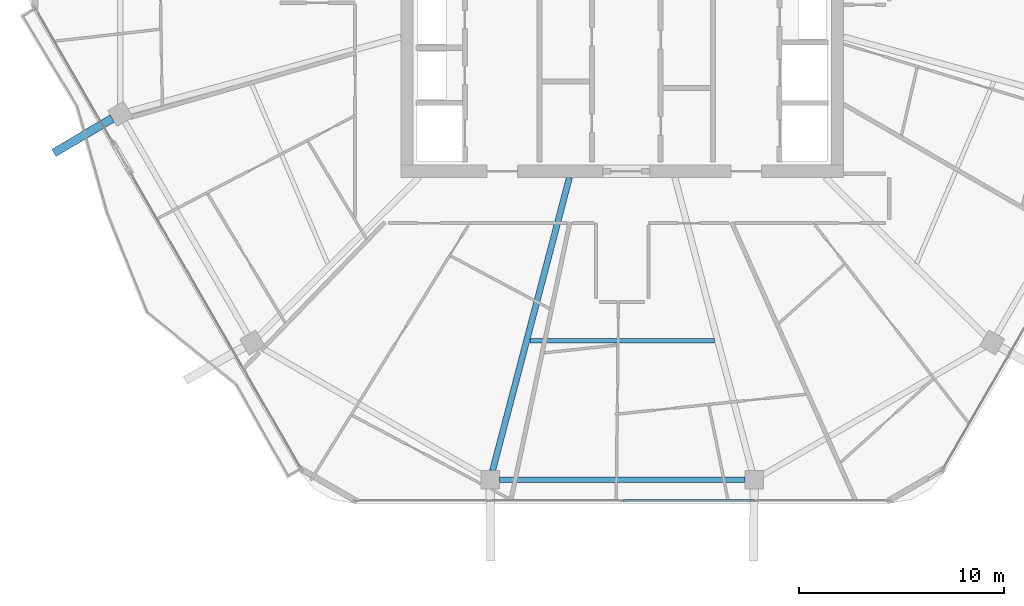
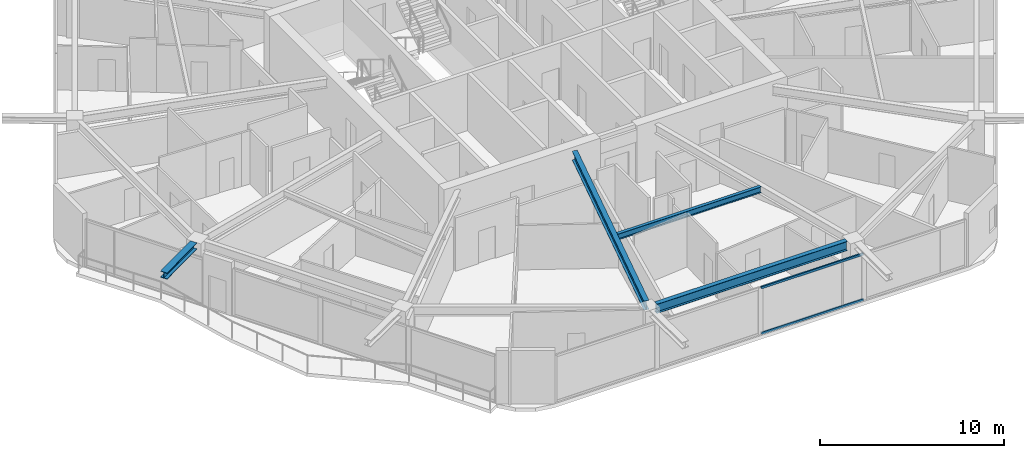
# One storey, part 4 of 26: 4 beams, 2 members, 1 element without a shape of its own.
"""IFC4 building model written with IfcOpenShell, lengths in metres."""

import ifcopenshell
import ifcopenshell.guid

model = None  # the IFC model being written
_history = None  # IfcOwnerHistory: only IFC2X3 demands one
_inside = {}  # id of a spatial element -> (the spatial element, [elements in it])
_under = {}  # id of a project, library or spatial element -> (it, [spatial elements below it])
_declared = {}  # id of a project -> (the project, [libraries it declares])
_typed = {}  # id of a type object -> (the type object, [elements of that type])
_made_of = {}  # id of a material, layer set ... -> (it, [elements and type objects made of it])


def new_model(schema):
    """Start an empty IFC model of exactly this schema.

    Asked for "IFC4X3", IfcOpenShell would pick the latest addendum, in which some entities
    have other attributes; the version numbers below select the first issue.
    IFC2X3 requires an IfcOwnerHistory on every rooted entity: one is made here for all.
    """
    global model, _history
    if schema == "IFC4X3":
        model = ifcopenshell.file(schema_version=(4, 3, 0, 0))
    else:
        model = ifcopenshell.file(schema=schema)
    _inside.clear()
    _under.clear()
    _declared.clear()
    _typed.clear()
    _made_of.clear()
    _history = None
    if model.schema == "IFC2X3":
        org = make("IfcOrganization", Name="unknown")
        user = make(
            "IfcPersonAndOrganization",
            ThePerson=make("IfcPerson", FamilyName="unknown"),
            TheOrganization=org,
        )
        app = make(
            "IfcApplication",
            ApplicationDeveloper=org,
            Version="unknown",
            ApplicationFullName="unknown",
            ApplicationIdentifier="unknown",
        )
        _history = make(
            "IfcOwnerHistory",
            OwningUser=user,
            OwningApplication=app,
            ChangeAction="ADDED",
            CreationDate=0,
        )
    return model


def make(cls, **values):
    """One entity of the class cls with the attributes given. An attribute that is None is left unset."""
    return model.create_entity(
        cls, **{name: value for name, value in values.items() if value is not None}
    )


def rooted(cls, **values):
    """An entity with a GlobalId (a new one), such as an element, a storey or a relation."""
    return make(cls, GlobalId=ifcopenshell.guid.new(), OwnerHistory=_history, **values)


def si_unit(unit_type, name, prefix=None):
    """IfcSIUnit, for example si_unit("LENGTHUNIT", "METRE", prefix="MILLI")."""
    return make("IfcSIUnit", UnitType=unit_type, Prefix=prefix, Name=name)


def assignment(units):
    """IfcUnitAssignment: the units of a project."""
    return None if units is None else make("IfcUnitAssignment", Units=units)


def point(xyz):
    """IfcCartesianPoint."""
    return None if xyz is None else make("IfcCartesianPoint", Coordinates=xyz)


def direction(xyz):
    """IfcDirection."""
    return None if xyz is None else make("IfcDirection", DirectionRatios=xyz)


def frame(location, z_axis=None, x_axis=None):
    """IfcAxis2Placement3D, a coordinate frame: its origin and axes. An axis left out is left unset."""
    return make(
        "IfcAxis2Placement3D",
        Location=point(location),
        Axis=direction(z_axis),
        RefDirection=direction(x_axis),
    )


def frame_2d(location, x_axis=None):
    """IfcAxis2Placement2D, a coordinate frame in the plane: its origin and x axis."""
    return make(
        "IfcAxis2Placement2D", Location=point(location), RefDirection=direction(x_axis)
    )


def origin():
    """The frame at (0, 0, 0) with its axes left unset."""
    return frame((0.0, 0.0, 0.0))


def origin_2d():
    """The frame at (0, 0) in the plane with its x axis left unset."""
    return frame_2d((0.0, 0.0))


def place(relative_to, where):
    """IfcLocalPlacement: puts the frame where relative to a parent placement (None: the world)."""
    return make(
        "IfcLocalPlacement", PlacementRelTo=relative_to, RelativePlacement=where
    )


def context(
    kind, dimensions, precision=None, world=None, true_north=None, identifier=None
):
    """IfcGeometricRepresentationContext, for example the 3D "Model" context."""
    return make(
        "IfcGeometricRepresentationContext",
        ContextIdentifier=identifier,
        ContextType=kind,
        CoordinateSpaceDimension=dimensions,
        Precision=precision,
        WorldCoordinateSystem=world,
        TrueNorth=true_north,
    )


def subcontext(parent, identifier, kind, view, scale=None):
    """IfcGeometricRepresentationSubContext, for example "Body" below "Model"."""
    return make(
        "IfcGeometricRepresentationSubContext",
        ContextIdentifier=identifier,
        ContextType=kind,
        ParentContext=parent,
        TargetScale=scale,
        TargetView=view,
    )


def project(units=None, contexts=None):
    """IfcProject with its units and contexts."""
    return rooted(
        "IfcProject",
        Name="project",
        RepresentationContexts=contexts,
        UnitsInContext=assignment(units),
    )


def spatial(cls, under=None, at=None, **own):
    """A site, building, storey or space (cls), placed at a placement, below another one or the project."""
    s = rooted(cls, ObjectPlacement=at, **own)
    if under is not None:
        _under.setdefault(under.id(), (under, []))[1].append(s)
    return s


def profile(cls, at=None, kind="AREA", **sizes):
    """A parametric profile (cls). Its sizes go by their IFC names, for example OverallWidth=200.0."""
    return make(cls, ProfileType=kind, Position=at, **sizes)


def hollow_rectangle(**sizes):
    """IfcRectangleHollowProfileDef."""
    return profile("IfcRectangleHollowProfileDef", **sizes)


def i_section(**sizes):
    """IfcIShapeProfileDef."""
    return profile("IfcIShapeProfileDef", **sizes)


def extrude(swept, where, along, depth):
    """IfcExtrudedAreaSolid: the profile swept, set in the frame where, extruded along a direction by depth."""
    return make(
        "IfcExtrudedAreaSolid",
        SweptArea=swept,
        Position=where,
        ExtrudedDirection=direction(along),
        Depth=depth,
    )


def shape(context_of_items, identifier, shape_type, items):
    """IfcShapeRepresentation: the items that make up one representation, for example the "Body"."""
    return make(
        "IfcShapeRepresentation",
        ContextOfItems=context_of_items,
        RepresentationIdentifier=identifier,
        RepresentationType=shape_type,
        Items=items,
    )


def material(Name=None, Category=None):
    """IfcMaterial."""
    return make("IfcMaterial", Name=Name, Category=Category)


def material_profile(
    of_material, cross_section, Name=None, Category=None, Priority=None
):
    """IfcMaterialProfile: a cross section and its material."""
    return make(
        "IfcMaterialProfile",
        Name=Name,
        Material=of_material,
        Profile=cross_section,
        Priority=Priority,
        Category=Category,
    )


def profile_set(profiles, Name=None, composite=None):
    """IfcMaterialProfileSet."""
    return make(
        "IfcMaterialProfileSet",
        Name=Name,
        MaterialProfiles=profiles,
        CompositeProfile=composite,
    )


def made_of(thing, what):
    """Note that an element or type object is made of a material, layer set ...; save() writes the relation."""
    if what is not None:
        _made_of.setdefault(what.id(), (what, []))[1].append(thing)
    return thing


def type_object(cls, material=None, **own):
    """A type object (cls), such as IfcWallType, which elements share."""
    return made_of(rooted(cls, **own), material)


def element(
    cls,
    number,
    at=None,
    inside=None,
    cuts=None,
    type_object=None,
    material=None,
    context=None,
    identifier="Body",
    shape_type=None,
    held_by="IfcProductDefinitionShape",
    body=None,
    shapes=None,
    **own,
):
    """One element of the class cls, such as IfcWall. Its Tag is "e" and its number.

    at: its placement. inside: the storey or other place that contains it. cuts: it is an
    opening in that element (IfcRelVoidsElement). A single representation is given by context,
    identifier, shape_type and body (its items); several are given by shapes. held_by: the class
    of the entity that holds the representations. save() writes the other relations.
    """
    e = rooted(cls, Tag="e%d" % number, ObjectPlacement=at, **own)
    if body is not None:
        shapes = [shape(context, identifier, shape_type, body)]
    if shapes is not None:
        e.Representation = make(held_by, Representations=shapes)
    if inside is not None:
        _inside.setdefault(inside.id(), (inside, []))[1].append(e)
    if cuts is not None:
        rooted(
            "IfcRelVoidsElement", RelatingBuildingElement=cuts, RelatedOpeningElement=e
        )
    if type_object is not None:
        _typed.setdefault(type_object.id(), (type_object, []))[1].append(e)
    return made_of(e, material)


def aggregate(whole, parts):
    """IfcRelAggregates: a whole, such as a stair, and the parts it consists of."""
    return rooted("IfcRelAggregates", RelatingObject=whole, RelatedObjects=parts)


def save(model, path):
    """Write the relations noted so far, then the file.

    IfcRelAggregates (storeys below a building ...), IfcRelContainedInSpatialStructure (elements
    in a storey), IfcRelDefinesByType, IfcRelAssociatesMaterial and IfcRelDeclares: one each for
    every whole, place, type object, material and project.
    """
    for whole, parts in _under.values():
        aggregate(whole, parts)
    for where, things in _inside.values():
        rooted(
            "IfcRelContainedInSpatialStructure",
            RelatedElements=things,
            RelatingStructure=where,
        )
    for kind, things in _typed.values():
        rooted("IfcRelDefinesByType", RelatedObjects=things, RelatingType=kind)
    for what, things in _made_of.values():
        rooted("IfcRelAssociatesMaterial", RelatedObjects=things, RelatingMaterial=what)
    for by, libraries in _declared.values():
        rooted("IfcRelDeclares", RelatingContext=by, RelatedDefinitions=libraries)
    model.write(path)


model = new_model("IFC4")

# Units and contexts
model_context = context("Model", 3, precision=1e-05, world=origin(), true_north=direction((0.0, 1.0)))
body_context = subcontext(model_context, "Body", "Model", "MODEL_VIEW")
ifc_project = project(units=[si_unit("LENGTHUNIT", "METRE"), si_unit("AREAUNIT", "SQUARE_METRE"), si_unit("VOLUMEUNIT", "CUBIC_METRE"), si_unit("PLANEANGLEUNIT", "RADIAN"), si_unit("MASSUNIT", "GRAM", prefix="KILO")], contexts=[model_context])

# Site, building, storey
site_placement = place(None, origin())
site = spatial("IfcSite", under=ifc_project, at=site_placement, CompositionType="ELEMENT")
building_placement = place(site_placement, origin())
building = spatial("IfcBuilding", under=site, at=building_placement, Name="Zuhravey Tower", CompositionType="ELEMENT")
storey_placement = place(building_placement, frame((0.0, 0.0, 250.199951171875)))
storey = spatial("IfcBuildingStorey", under=building, at=storey_placement, Name="L63", CompositionType="ELEMENT", Elevation=250.199951171875)

# Curtain wall, members
ifc_material_1 = material(Name="Thermally broken anodised aluminium", Category="aluminium")
curtain_wall_type = type_object("IfcCurtainWallType", Name="Zone 3-4 High-Rise Curtain Wall CW4", PredefinedType="NOTDEFINED", material=ifc_material_1)
curtain_wall_placement = place(storey_placement, origin())
curtain_wall = element("IfcCurtainWall", 1, at=curtain_wall_placement, inside=storey, type_object=curtain_wall_type, Name="L63 CW4 CW-L63-F5-1", PredefinedType="NOTDEFINED")
ifc_material_2 = material(Name="Anodised aluminium", Category="aluminium")
ifc_material_profile_1 = material_profile(ifc_material_2, hollow_rectangle(XDim=0.090087890625, YDim=0.14990234375, WallThickness=0.0048828125, at=origin_2d()), Name="ALU-RHS-90x150x5")
ifc_profile_set_1 = profile_set([ifc_material_profile_1], Name="Anodised aluminium")
member_type = type_object("IfcMemberType", Name="Curtain-Wall Transom 90x150", PredefinedType="USERDEFINED", material=ifc_profile_set_1)
member_1_placement = place(storey_placement, frame((42.46142578125, 6.436279296875, 0.045166015625), z_axis=(-1.0, 0.0, 0.0), x_axis=(0.0, -1.0, 0.0)))
member_1 = element("IfcMember", 2, at=member_1_placement, type_object=member_type, Name="CW4 transom 2.1", ObjectType="TRANSOM", PredefinedType="USERDEFINED", context=body_context, shape_type="SweptSolid", body=[
    extrude(hollow_rectangle(XDim=0.090087890625, YDim=0.14990234375, WallThickness=0.0048828125, at=origin_2d()), origin(), (0.0, 0.0, 1.0), 6.41650390625),
])
member_2_placement = place(storey_placement, frame((42.46142578125, 6.436279296875, 3.0771484375), z_axis=(-1.0, 0.0, 0.0), x_axis=(0.0, -1.0, 0.0)))
member_2 = element("IfcMember", 3, at=member_2_placement, type_object=member_type, Name="CW4 transom 2.2", ObjectType="TRANSOM", PredefinedType="USERDEFINED", context=body_context, shape_type="SweptSolid", body=[
    extrude(hollow_rectangle(XDim=0.090087890625, YDim=0.14990234375, WallThickness=0.0048828125, at=origin_2d()), origin(), (0.0, 0.0, 1.0), 6.41650390625),
])
aggregate(curtain_wall, [member_1, member_2])

# Beams
ifc_material_3 = material(Name="Steel SM460", Category="steel")
ifc_material_profile_2 = material_profile(ifc_material_3, i_section(OverallWidth=0.406982421875, OverallDepth=0.427978515625, WebThickness=0.02001953125, FlangeThickness=0.034912109375, at=origin_2d()), Name="H-428x407x20x35")
ifc_profile_set_2 = profile_set([ifc_material_profile_2], Name="Steel SM460")
beam_type_1 = type_object("IfcBeamType", Name="Exoskeleton Node Tie Beam H428x407", PredefinedType="BEAM", material=ifc_profile_set_2)
beam_1_placement = place(storey_placement, frame((11.124267578125, 25.070556640625, 3.3359375), z_axis=(-0.861608927627, -0.507572709898, 0.0), x_axis=(0.507572709898, -0.861608927627, 0.0)))
element("IfcBeam", 4, at=beam_1_placement, inside=storey, type_object=beam_type_1, Name="L63 Exoskeleton Node Tie NT1-07", PredefinedType="BEAM", context=body_context, shape_type="SweptSolid", body=[
    extrude(i_section(OverallWidth=0.406982421875, OverallDepth=0.427978515625, WebThickness=0.02001953125, FlangeThickness=0.034912109375, at=origin_2d()), origin(), (0.0, 0.0, 1.0), 3.301025390625),
])
ifc_material_4 = material(Name="Steel SM355", Category="steel")
ifc_material_profile_3 = material_profile(ifc_material_4, i_section(OverallWidth=0.280029296875, OverallDepth=0.6201171875, WebThickness=0.011962890625, FlangeThickness=0.02001953125, at=origin_2d()), Name="H-620x280x12x20")
ifc_profile_set_3 = profile_set([ifc_material_profile_3], Name="Steel SM355")
beam_type_2 = type_object("IfcBeamType", Name="Perimeter Ring Beam H620x280", PredefinedType="BEAM", material=ifc_profile_set_3)
beam_2_placement = place(storey_placement, frame((30.01220703125, 7.4462890625, 3.239990234375), z_axis=(1.0, 0.0, 0.0), x_axis=(0.0, 1.0, 0.0)))
element("IfcBeam", 5, at=beam_2_placement, inside=storey, type_object=beam_type_2, Name="L63 PB3 BM-L63-PB-09", PredefinedType="BEAM", context=body_context, shape_type="SweptSolid", body=[
    extrude(i_section(OverallWidth=0.280029296875, OverallDepth=0.6201171875, WebThickness=0.011962890625, FlangeThickness=0.02001953125, at=origin_2d()), origin(), (0.0, 0.0, 1.0), 11.9755859375),
])
ifc_material_profile_4 = material_profile(ifc_material_4, i_section(OverallWidth=0.300048828125, OverallDepth=0.60009765625, WebThickness=0.011962890625, FlangeThickness=0.02001953125, at=origin_2d()), Name="H-600x300x12x20")
ifc_profile_set_4 = profile_set([ifc_material_profile_4], Name="Steel SM355")
beam_type_3 = type_object("IfcBeamType", Name="Radial Primary Girder H600x300", PredefinedType="BEAM", material=ifc_profile_set_4)
beam_3_placement = place(storey_placement, frame((33.428466796875, 22.197021484375, 3.25), z_axis=(-0.253731415841, -0.967274712073, 0.0), x_axis=(0.967274712073, -0.253731415841, 0.0)))
element("IfcBeam", 6, at=beam_3_placement, inside=storey, type_object=beam_type_3, Name="L63 RG3 BM-L63-RAD-09", PredefinedType="BEAM", context=body_context, shape_type="SweptSolid", body=[
    extrude(i_section(OverallWidth=0.300048828125, OverallDepth=0.60009765625, WebThickness=0.011962890625, FlangeThickness=0.02001953125, at=origin_2d()), origin(), (0.0, 0.0, 1.0), 14.796630859375),
])
ifc_material_profile_5 = material_profile(ifc_material_4, i_section(OverallWidth=0.199951171875, OverallDepth=0.39990234375, WebThickness=0.008056640625, FlangeThickness=0.012939453125, at=origin_2d()), Name="H-400x200x8x13")
ifc_profile_set_5 = profile_set([ifc_material_profile_5], Name="Steel SM355")
beam_type_4 = type_object("IfcBeamType", Name="Secondary Floor Joist H400x200", PredefinedType="JOIST", material=ifc_profile_set_5)
beam_4_placement = place(storey_placement, frame((31.492919921875, 14.231689453125, 3.35009765625), z_axis=(1.0, 0.0, 0.0), x_axis=(0.0, 1.0, 0.0)))
element("IfcBeam", 7, at=beam_4_placement, inside=storey, type_object=beam_type_4, Name="L63 SJ2 BM-L63-SJ-09-1", PredefinedType="JOIST", context=body_context, shape_type="SweptSolid", body=[
    extrude(i_section(OverallWidth=0.199951171875, OverallDepth=0.39990234375, WebThickness=0.008056640625, FlangeThickness=0.012939453125, at=origin_2d()), origin(), (0.0, 0.0, 1.0), 9.01416015625),
])

save(model, "model.ifc")
